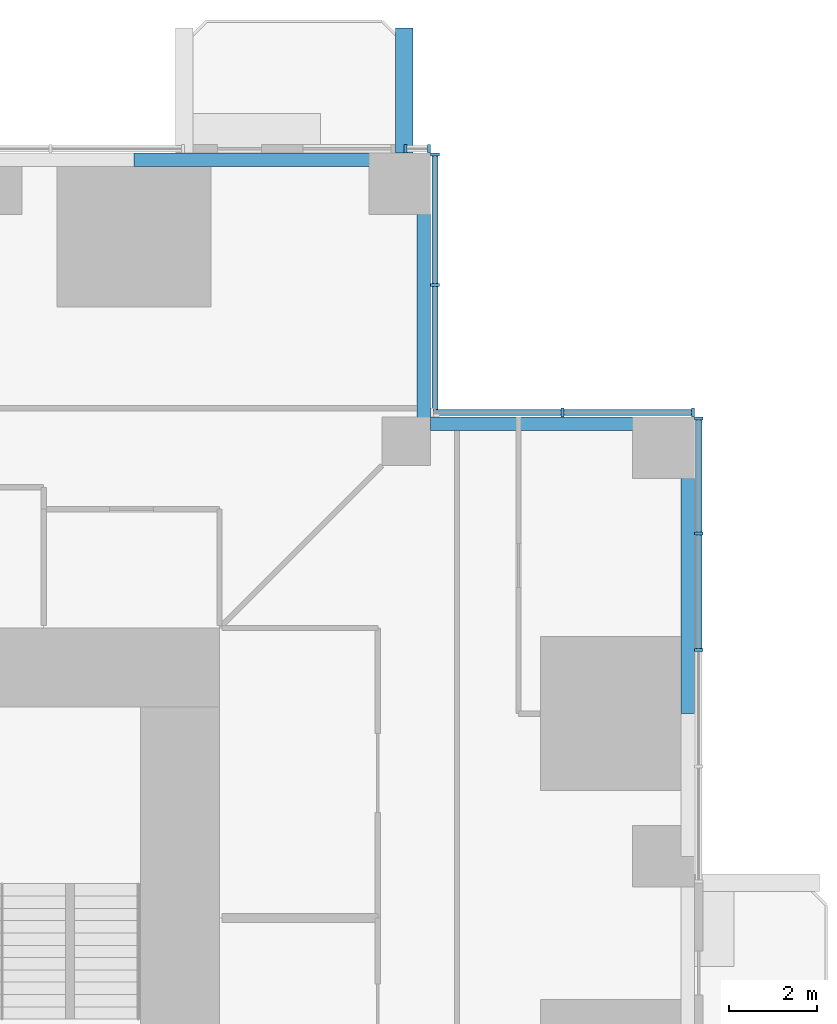
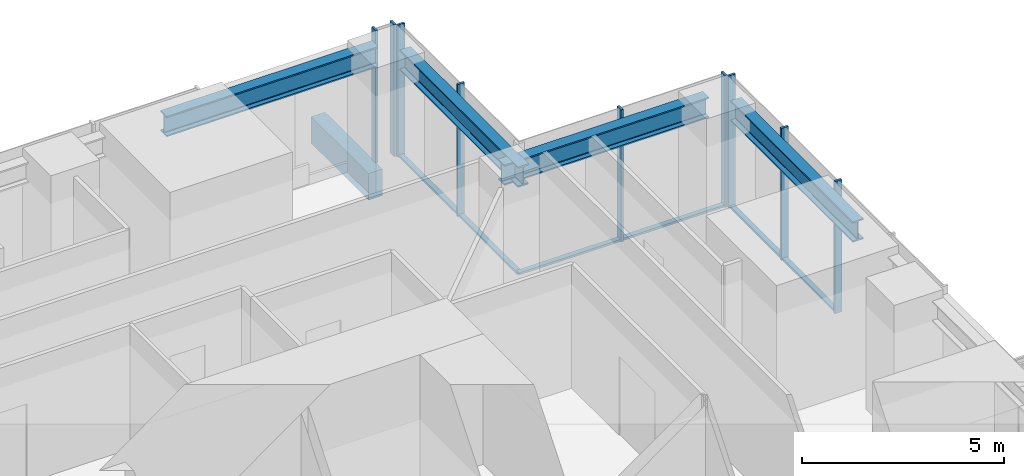
# One storey, part 6 of 17: 15 members, 5 beams, 4 elements without a shape of their own.
"""IFC4 building model written with IfcOpenShell, lengths in metres."""

from ifc_helpers import new_model, si_unit, direction, frame, origin, origin_2d, place, context, subcontext, project, spatial, rectangle, i_section, extrude, material, material_profile, profile_set, type_object, element, aggregate, save


model = new_model("IFC4")

# Units and contexts
model_context = context("Model", 3, precision=1e-05, world=origin(), true_north=direction((0.0, 1.0)))
body_context = subcontext(model_context, "Body", "Model", "MODEL_VIEW")
ifc_project = project(units=[si_unit("LENGTHUNIT", "METRE"), si_unit("AREAUNIT", "SQUARE_METRE"), si_unit("VOLUMEUNIT", "CUBIC_METRE"), si_unit("PLANEANGLEUNIT", "RADIAN"), si_unit("MASSUNIT", "GRAM", prefix="KILO")], contexts=[model_context])

# Site, building, storey
site_placement = place(None, origin())
site = spatial("IfcSite", under=ifc_project, at=site_placement, CompositionType="ELEMENT")
building_placement = place(site_placement, origin())
building = spatial("IfcBuilding", under=site, at=building_placement, Name="Svetlomir Tower", CompositionType="ELEMENT")
storey_placement = place(building_placement, frame((0.0, 0.0, 62.5)))
storey = spatial("IfcBuildingStorey", under=building, at=storey_placement, Name="L14", CompositionType="ELEMENT", Elevation=62.5)

# Beam
ifc_material_1 = material(Name="Concrete C60/75", Category="concrete")
ifc_material_profile_1 = material_profile(ifc_material_1, rectangle(XDim=0.39990234375, YDim=0.800048828125, at=origin_2d()), Name="RC 400x800")
ifc_profile_set_1 = profile_set([ifc_material_profile_1], Name="Concrete C60/75")
beam_type_1 = type_object("IfcBeamType", Name="BALCONY RIB RC 400x800", PredefinedType="BEAM", material=ifc_profile_set_1)
beam_placement = place(storey_placement, frame((35.39990234375, 42.0, -0.64990234375), z_axis=(0.0, 1.0, 0.0), x_axis=(-1.0, 0.0, 0.0)))
element("IfcBeam", 1, at=beam_placement, inside=storey, type_object=beam_type_1, Name="Balcony rib N 2 L14", PredefinedType="BEAM", context=body_context, shape_type="SweptSolid", body=[
    extrude(rectangle(XDim=0.39990234375, YDim=0.800048828125, at=origin_2d()), origin(), (0.0, 0.0, 1.0), 2.85009765625),
])

# Curtain wall, members
ifc_material_2 = material(Name="Bronze anodised aluminium curtain wall", Category="aluminium")
curtain_wall_type = type_object("IfcCurtainWallType", Name="CURTAIN WALL CW1 TOWER OFFICE", PredefinedType="NOTDEFINED", material=ifc_material_2)
curtain_wall_1_placement = place(storey_placement, origin())
curtain_wall_1 = element("IfcCurtainWall", 2, at=curtain_wall_1_placement, inside=storey, type_object=curtain_wall_type, Name="Curtain wall CW1 L14", PredefinedType="NOTDEFINED")
ifc_material_3 = material(Name="Bronze anodised aluminium", Category="aluminium")
ifc_material_profile_2 = material_profile(ifc_material_3, rectangle(XDim=0.06494140625, YDim=0.199951171875, at=origin_2d()), Name="AL 65x200")
ifc_profile_set_2 = profile_set([ifc_material_profile_2], Name="Bronze anodised aluminium 6063-T6")
member_type_1 = type_object("IfcMemberType", Name="CW1 MULLION 65x200", PredefinedType="MULLION", material=ifc_profile_set_2)
member_1_placement = place(storey_placement, frame((42.10009765625, 30.699951171875, 0.0), z_axis=(0.0, 0.0, 1.0), x_axis=(0.0, 1.0, 0.0)))
member_1 = element("IfcMember", 3, at=member_1_placement, type_object=member_type_1, Name="CW1 mullion 3", PredefinedType="MULLION", context=body_context, shape_type="SweptSolid", body=[
    extrude(rectangle(XDim=0.06494140625, YDim=0.199951171875, at=origin_2d()), origin(), (0.0, 0.0, 1.0), 4.0),
])
member_2_placement = place(storey_placement, frame((42.10009765625, 33.35009765625, 0.0), z_axis=(0.0, 0.0, 1.0), x_axis=(0.0, 1.0, 0.0)))
member_2 = element("IfcMember", 4, at=member_2_placement, type_object=member_type_1, Name="CW1 mullion 4", PredefinedType="MULLION", context=body_context, shape_type="SweptSolid", body=[
    extrude(rectangle(XDim=0.06494140625, YDim=0.199951171875, at=origin_2d()), origin(), (0.0, 0.0, 1.0), 4.0),
])
member_3_placement = place(storey_placement, frame((42.10009765625, 35.967529296875, 0.0), z_axis=(0.0, 0.0, 1.0), x_axis=(0.0, 1.0, 0.0)))
member_3 = element("IfcMember", 5, at=member_3_placement, type_object=member_type_1, Name="CW1 mullion 5", PredefinedType="MULLION", context=body_context, shape_type="SweptSolid", body=[
    extrude(rectangle(XDim=0.06494140625, YDim=0.199951171875, at=origin_2d()), origin(), (0.0, 0.0, 1.0), 4.0),
])

curtain_wall_2_placement = place(storey_placement, origin())
curtain_wall_2 = element("IfcCurtainWall", 6, at=curtain_wall_2_placement, inside=storey, type_object=curtain_wall_type, Name="Curtain wall CW1 L14", PredefinedType="NOTDEFINED")
member_4_placement = place(storey_placement, frame((41.967529296875, 36.10009765625, 0.0), z_axis=(0.0, 0.0, 1.0), x_axis=(-1.0, 0.0, 0.0)))
member_4 = element("IfcMember", 7, at=member_4_placement, type_object=member_type_1, Name="CW1 mullion 1", PredefinedType="MULLION", context=body_context, shape_type="SweptSolid", body=[
    extrude(rectangle(XDim=0.06494140625, YDim=0.199951171875, at=origin_2d()), origin(), (0.0, 0.0, 1.0), 4.0),
])
member_5_placement = place(storey_placement, frame((39.0, 36.10009765625, 0.0), z_axis=(0.0, 0.0, 1.0), x_axis=(-1.0, 0.0, 0.0)))
member_5 = element("IfcMember", 8, at=member_5_placement, type_object=member_type_1, Name="CW1 mullion 2", PredefinedType="MULLION", context=body_context, shape_type="SweptSolid", body=[
    extrude(rectangle(XDim=0.06494140625, YDim=0.199951171875, at=origin_2d()), origin(), (0.0, 0.0, 1.0), 4.0),
])

curtain_wall_3_placement = place(storey_placement, origin())
curtain_wall_3 = element("IfcCurtainWall", 9, at=curtain_wall_3_placement, inside=storey, type_object=curtain_wall_type, Name="Curtain wall CW1 L14", PredefinedType="NOTDEFINED")
member_6_placement = place(storey_placement, frame((36.10009765625, 39.0, 0.0), z_axis=(0.0, 0.0, 1.0), x_axis=(0.0, 1.0, 0.0)))
member_6 = element("IfcMember", 10, at=member_6_placement, type_object=member_type_1, Name="CW1 mullion 2", PredefinedType="MULLION", context=body_context, shape_type="SweptSolid", body=[
    extrude(rectangle(XDim=0.06494140625, YDim=0.199951171875, at=origin_2d()), origin(), (0.0, 0.0, 1.0), 4.0),
])
member_7_placement = place(storey_placement, frame((36.10009765625, 41.967529296875, 0.0), z_axis=(0.0, 0.0, 1.0), x_axis=(0.0, 1.0, 0.0)))
member_7 = element("IfcMember", 11, at=member_7_placement, type_object=member_type_1, Name="CW1 mullion 3", PredefinedType="MULLION", context=body_context, shape_type="SweptSolid", body=[
    extrude(rectangle(XDim=0.06494140625, YDim=0.199951171875, at=origin_2d()), origin(), (0.0, 0.0, 1.0), 4.0),
])

curtain_wall_4_placement = place(storey_placement, origin())
curtain_wall_4 = element("IfcCurtainWall", 12, at=curtain_wall_4_placement, inside=storey, type_object=curtain_wall_type, Name="Curtain wall CW1 L14", PredefinedType="NOTDEFINED")
member_8_placement = place(storey_placement, frame((35.967529296875, 42.10009765625, 0.0), z_axis=(0.0, 0.0, 1.0), x_axis=(-1.0, 0.0, 0.0)))
member_8 = element("IfcMember", 13, at=member_8_placement, type_object=member_type_1, Name="CW1 mullion 1", PredefinedType="MULLION", context=body_context, shape_type="SweptSolid", body=[
    extrude(rectangle(XDim=0.06494140625, YDim=0.199951171875, at=origin_2d()), origin(), (0.0, 0.0, 1.0), 4.0),
])
member_9_placement = place(storey_placement, frame((35.4326171875, 42.10009765625, 0.0), z_axis=(0.0, 0.0, 1.0), x_axis=(-1.0, 0.0, 0.0)))
member_9 = element("IfcMember", 14, at=member_9_placement, type_object=member_type_1, Name="CW1 mullion 2", PredefinedType="MULLION", context=body_context, shape_type="SweptSolid", body=[
    extrude(rectangle(XDim=0.06494140625, YDim=0.199951171875, at=origin_2d()), origin(), (0.0, 0.0, 1.0), 4.0),
])
aggregate(curtain_wall_4, [member_8, member_9])

# Member
ifc_material_4 = material(Name="Bronze anodised aluminium", Category="aluminium")
ifc_material_profile_3 = material_profile(ifc_material_4, rectangle(XDim=0.139892578125, YDim=0.06494140625, at=origin_2d()), Name="AL 140x65")
ifc_profile_set_3 = profile_set([ifc_material_profile_3], Name="Bronze anodised aluminium 6063-T6")
member_type_2 = type_object("IfcMemberType", Name="CW1 TRANSOM 65x140", PredefinedType="USERDEFINED", material=ifc_profile_set_3)
member_10_placement = place(storey_placement, frame((42.10009765625, 30.732421875, 0.032470703125), z_axis=(0.0, 1.0, 0.0), x_axis=(-1.0, 0.0, 0.0)))
member_10 = element("IfcMember", 15, at=member_10_placement, type_object=member_type_2, Name="CW1 transom 3.1", ObjectType="TRANSOM", PredefinedType="USERDEFINED", context=body_context, shape_type="SweptSolid", body=[
    extrude(rectangle(XDim=0.139892578125, YDim=0.06494140625, at=origin_2d()), origin(), (0.0, 0.0, 1.0), 2.5849609375),
])

member_11_placement = place(storey_placement, frame((42.10009765625, 33.382568359375, 0.032470703125), z_axis=(0.0, 1.0, 0.0), x_axis=(-1.0, 0.0, 0.0)))
member_11 = element("IfcMember", 16, at=member_11_placement, type_object=member_type_2, Name="CW1 transom 4.1", ObjectType="TRANSOM", PredefinedType="USERDEFINED", context=body_context, shape_type="SweptSolid", body=[
    extrude(rectangle(XDim=0.139892578125, YDim=0.06494140625, at=origin_2d()), origin(), (0.0, 0.0, 1.0), 2.552490234375),
])

aggregate(curtain_wall_1, [member_1, member_2, member_3, member_10, member_11])

member_12_placement = place(storey_placement, frame((41.93505859375, 36.10009765625, 0.032470703125), z_axis=(-1.0, 0.0, 0.0), x_axis=(0.0, -1.0, 0.0)))
member_12 = element("IfcMember", 17, at=member_12_placement, type_object=member_type_2, Name="CW1 transom 1.1", ObjectType="TRANSOM", PredefinedType="USERDEFINED", context=body_context, shape_type="SweptSolid", body=[
    extrude(rectangle(XDim=0.139892578125, YDim=0.06494140625, at=origin_2d()), origin(), (0.0, 0.0, 1.0), 2.902587890625),
])

member_13_placement = place(storey_placement, frame((38.967529296875, 36.10009765625, 0.032470703125), z_axis=(-1.0, 0.0, 0.0), x_axis=(0.0, -1.0, 0.0)))
member_13 = element("IfcMember", 18, at=member_13_placement, type_object=member_type_2, Name="CW1 transom 2.1", ObjectType="TRANSOM", PredefinedType="USERDEFINED", context=body_context, shape_type="SweptSolid", body=[
    extrude(rectangle(XDim=0.139892578125, YDim=0.06494140625, at=origin_2d()), origin(), (0.0, 0.0, 1.0), 2.902587890625),
])

aggregate(curtain_wall_2, [member_4, member_5, member_12, member_13])

member_14_placement = place(storey_placement, frame((36.10009765625, 36.06494140625, 0.032470703125), z_axis=(0.0, 1.0, 0.0), x_axis=(-1.0, 0.0, 0.0)))
member_14 = element("IfcMember", 19, at=member_14_placement, type_object=member_type_2, Name="CW1 transom 1.1", ObjectType="TRANSOM", PredefinedType="USERDEFINED", context=body_context, shape_type="SweptSolid", body=[
    extrude(rectangle(XDim=0.139892578125, YDim=0.06494140625, at=origin_2d()), origin(), (0.0, 0.0, 1.0), 2.902587890625),
])

member_15_placement = place(storey_placement, frame((36.10009765625, 39.032470703125, 0.032470703125), z_axis=(0.0, 1.0, 0.0), x_axis=(-1.0, 0.0, 0.0)))
member_15 = element("IfcMember", 20, at=member_15_placement, type_object=member_type_2, Name="CW1 transom 2.1", ObjectType="TRANSOM", PredefinedType="USERDEFINED", context=body_context, shape_type="SweptSolid", body=[
    extrude(rectangle(XDim=0.139892578125, YDim=0.06494140625, at=origin_2d()), origin(), (0.0, 0.0, 1.0), 2.902587890625),
])

aggregate(curtain_wall_3, [member_6, member_7, member_14, member_15])

# Beams
ifc_material_5 = material(Name="Steel S355", Category="steel")
ifc_material_profile_4 = material_profile(ifc_material_5, i_section(OverallWidth=0.304931640625, OverallDepth=0.6201171875, WebThickness=0.02099609375, FlangeThickness=0.0400390625, FilletRadius=0.027099609375, at=origin_2d()), Name="HEM 600")
ifc_profile_set_4 = profile_set([ifc_material_profile_4], Name="Steel S355")
beam_type_2 = type_object("IfcBeamType", Name="EDGE BEAM HEM 600", PredefinedType="SPANDREL", material=ifc_profile_set_4)
for number, where, z_axis, x_axis, name in (
    (21, (41.847412109375, 29.25, 3.43994140625), (0.0, 1.0, 0.0), (-1.0, 0.0, 0.0), "Edge beam 42/31 to 42/36 under L15"),
    (22, (29.25, 41.847412109375, 3.43994140625), (1.0, 0.0, 0.0), (0.0, 1.0, 0.0), "Edge beam 31/42 to 36/42 under L15"),
):
    element("IfcBeam", number, at=place(storey_placement, frame(where, z_axis=z_axis, x_axis=x_axis)), inside=storey, type_object=beam_type_2, Name=name, PredefinedType="SPANDREL", context=body_context, shape_type="SweptSolid", body=[
        extrude(i_section(OverallWidth=0.304931640625, OverallDepth=0.6201171875, WebThickness=0.02099609375, FlangeThickness=0.0400390625, FilletRadius=0.027099609375, at=origin_2d()), origin(), (0.0, 0.0, 1.0), 6.050048828125),
    ])
for number, where, z_axis, x_axis, name in (
    (23, (35.847412109375, 41.300048828125, 3.43994140625), (0.0, -1.0, 0.0), (1.0, 0.0, 0.0), "Edge beam 36/42 to 36/36 under L15"),
    (24, (41.300048828125, 35.847412109375, 3.43994140625), (-1.0, 0.0, 0.0), (0.0, -1.0, 0.0), "Edge beam 42/36 to 36/36 under L15"),
):
    element("IfcBeam", number, at=place(storey_placement, frame(where, z_axis=z_axis, x_axis=x_axis)), inside=storey, type_object=beam_type_2, Name=name, PredefinedType="SPANDREL", context=body_context, shape_type="SweptSolid", body=[
        extrude(i_section(OverallWidth=0.304931640625, OverallDepth=0.6201171875, WebThickness=0.02099609375, FlangeThickness=0.0400390625, FilletRadius=0.027099609375, at=origin_2d()), origin(), (0.0, 0.0, 1.0), 5.85009765625),
    ])

save(model, "model.ifc")
